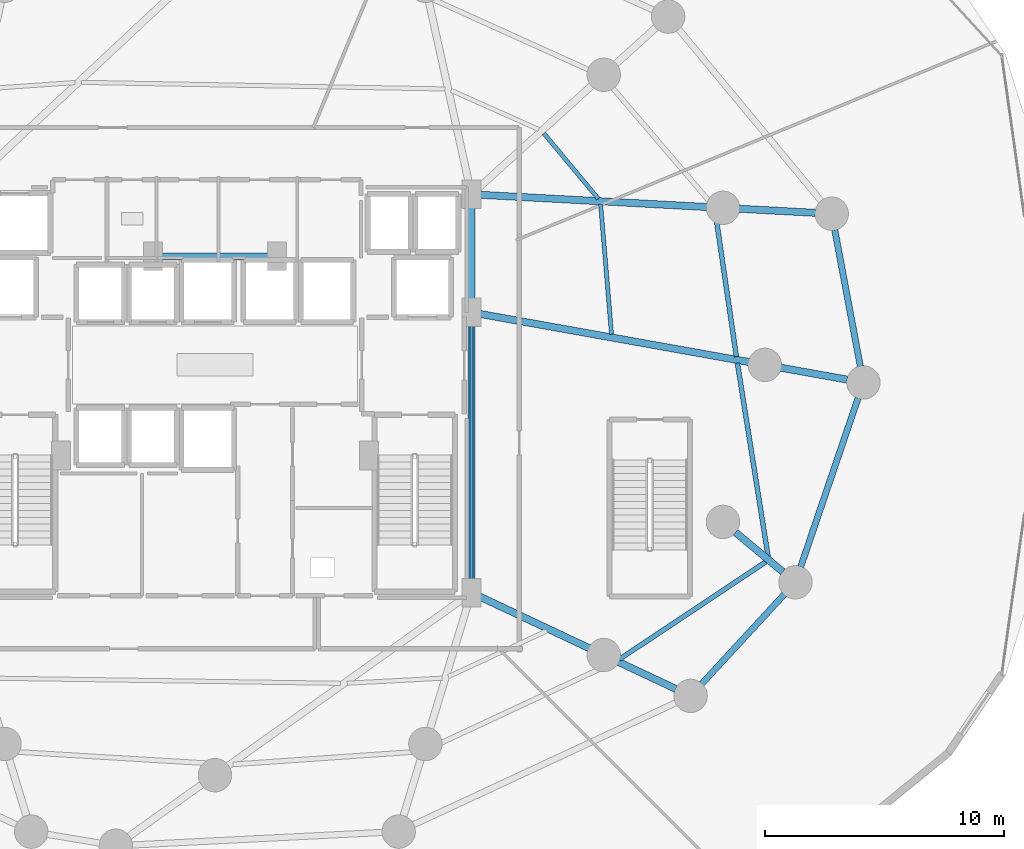
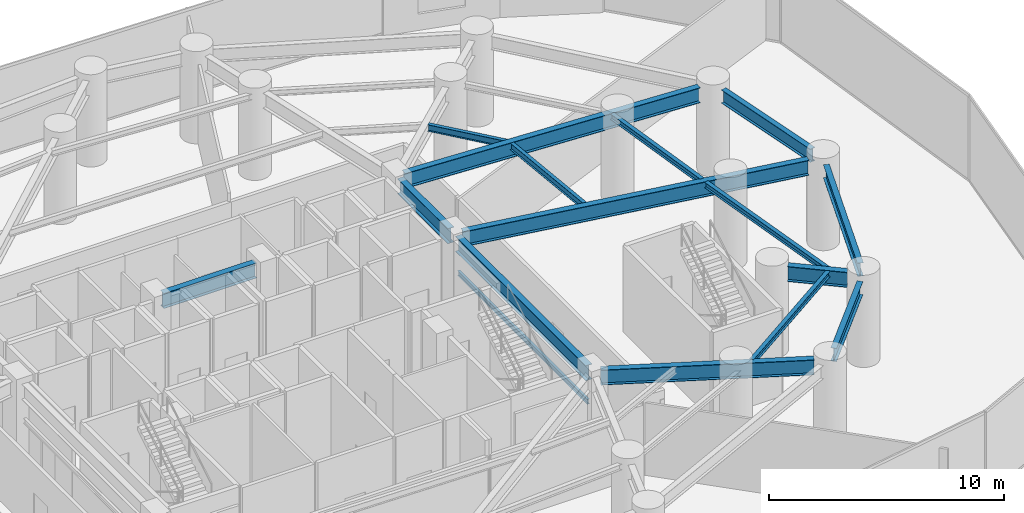
# One storey, part 11 of 26: 16 beams.
"""IFC4 building model written with IfcOpenShell, lengths in metres."""

import ifcopenshell
import ifcopenshell.guid

model = None  # the IFC model being written
_history = None  # IfcOwnerHistory: only IFC2X3 demands one
_inside = {}  # id of a spatial element -> (the spatial element, [elements in it])
_under = {}  # id of a project, library or spatial element -> (it, [spatial elements below it])
_declared = {}  # id of a project -> (the project, [libraries it declares])
_typed = {}  # id of a type object -> (the type object, [elements of that type])
_made_of = {}  # id of a material, layer set ... -> (it, [elements and type objects made of it])


def new_model(schema):
    """Start an empty IFC model of exactly this schema.

    Asked for "IFC4X3", IfcOpenShell would pick the latest addendum, in which some entities
    have other attributes; the version numbers below select the first issue.
    IFC2X3 requires an IfcOwnerHistory on every rooted entity: one is made here for all.
    """
    global model, _history
    if schema == "IFC4X3":
        model = ifcopenshell.file(schema_version=(4, 3, 0, 0))
    else:
        model = ifcopenshell.file(schema=schema)
    _inside.clear()
    _under.clear()
    _declared.clear()
    _typed.clear()
    _made_of.clear()
    _history = None
    if model.schema == "IFC2X3":
        org = make("IfcOrganization", Name="unknown")
        user = make(
            "IfcPersonAndOrganization",
            ThePerson=make("IfcPerson", FamilyName="unknown"),
            TheOrganization=org,
        )
        app = make(
            "IfcApplication",
            ApplicationDeveloper=org,
            Version="unknown",
            ApplicationFullName="unknown",
            ApplicationIdentifier="unknown",
        )
        _history = make(
            "IfcOwnerHistory",
            OwningUser=user,
            OwningApplication=app,
            ChangeAction="ADDED",
            CreationDate=0,
        )
    return model


def make(cls, **values):
    """One entity of the class cls with the attributes given. An attribute that is None is left unset."""
    return model.create_entity(
        cls, **{name: value for name, value in values.items() if value is not None}
    )


def rooted(cls, **values):
    """An entity with a GlobalId (a new one), such as an element, a storey or a relation."""
    return make(cls, GlobalId=ifcopenshell.guid.new(), OwnerHistory=_history, **values)


def si_unit(unit_type, name, prefix=None):
    """IfcSIUnit, for example si_unit("LENGTHUNIT", "METRE", prefix="MILLI")."""
    return make("IfcSIUnit", UnitType=unit_type, Prefix=prefix, Name=name)


def assignment(units):
    """IfcUnitAssignment: the units of a project."""
    return None if units is None else make("IfcUnitAssignment", Units=units)


def point(xyz):
    """IfcCartesianPoint."""
    return None if xyz is None else make("IfcCartesianPoint", Coordinates=xyz)


def direction(xyz):
    """IfcDirection."""
    return None if xyz is None else make("IfcDirection", DirectionRatios=xyz)


def frame(location, z_axis=None, x_axis=None):
    """IfcAxis2Placement3D, a coordinate frame: its origin and axes. An axis left out is left unset."""
    return make(
        "IfcAxis2Placement3D",
        Location=point(location),
        Axis=direction(z_axis),
        RefDirection=direction(x_axis),
    )


def frame_2d(location, x_axis=None):
    """IfcAxis2Placement2D, a coordinate frame in the plane: its origin and x axis."""
    return make(
        "IfcAxis2Placement2D", Location=point(location), RefDirection=direction(x_axis)
    )


def origin():
    """The frame at (0, 0, 0) with its axes left unset."""
    return frame((0.0, 0.0, 0.0))


def origin_2d():
    """The frame at (0, 0) in the plane with its x axis left unset."""
    return frame_2d((0.0, 0.0))


def place(relative_to, where):
    """IfcLocalPlacement: puts the frame where relative to a parent placement (None: the world)."""
    return make(
        "IfcLocalPlacement", PlacementRelTo=relative_to, RelativePlacement=where
    )


def context(
    kind, dimensions, precision=None, world=None, true_north=None, identifier=None
):
    """IfcGeometricRepresentationContext, for example the 3D "Model" context."""
    return make(
        "IfcGeometricRepresentationContext",
        ContextIdentifier=identifier,
        ContextType=kind,
        CoordinateSpaceDimension=dimensions,
        Precision=precision,
        WorldCoordinateSystem=world,
        TrueNorth=true_north,
    )


def subcontext(parent, identifier, kind, view, scale=None):
    """IfcGeometricRepresentationSubContext, for example "Body" below "Model"."""
    return make(
        "IfcGeometricRepresentationSubContext",
        ContextIdentifier=identifier,
        ContextType=kind,
        ParentContext=parent,
        TargetScale=scale,
        TargetView=view,
    )


def project(units=None, contexts=None):
    """IfcProject with its units and contexts."""
    return rooted(
        "IfcProject",
        Name="project",
        RepresentationContexts=contexts,
        UnitsInContext=assignment(units),
    )


def spatial(cls, under=None, at=None, **own):
    """A site, building, storey or space (cls), placed at a placement, below another one or the project."""
    s = rooted(cls, ObjectPlacement=at, **own)
    if under is not None:
        _under.setdefault(under.id(), (under, []))[1].append(s)
    return s


def profile(cls, at=None, kind="AREA", **sizes):
    """A parametric profile (cls). Its sizes go by their IFC names, for example OverallWidth=200.0."""
    return make(cls, ProfileType=kind, Position=at, **sizes)


def i_section(**sizes):
    """IfcIShapeProfileDef."""
    return profile("IfcIShapeProfileDef", **sizes)


def extrude(swept, where, along, depth):
    """IfcExtrudedAreaSolid: the profile swept, set in the frame where, extruded along a direction by depth."""
    return make(
        "IfcExtrudedAreaSolid",
        SweptArea=swept,
        Position=where,
        ExtrudedDirection=direction(along),
        Depth=depth,
    )


def shape(context_of_items, identifier, shape_type, items):
    """IfcShapeRepresentation: the items that make up one representation, for example the "Body"."""
    return make(
        "IfcShapeRepresentation",
        ContextOfItems=context_of_items,
        RepresentationIdentifier=identifier,
        RepresentationType=shape_type,
        Items=items,
    )


def material(Name=None, Category=None):
    """IfcMaterial."""
    return make("IfcMaterial", Name=Name, Category=Category)


def material_profile(
    of_material, cross_section, Name=None, Category=None, Priority=None
):
    """IfcMaterialProfile: a cross section and its material."""
    return make(
        "IfcMaterialProfile",
        Name=Name,
        Material=of_material,
        Profile=cross_section,
        Priority=Priority,
        Category=Category,
    )


def profile_set(profiles, Name=None, composite=None):
    """IfcMaterialProfileSet."""
    return make(
        "IfcMaterialProfileSet",
        Name=Name,
        MaterialProfiles=profiles,
        CompositeProfile=composite,
    )


def made_of(thing, what):
    """Note that an element or type object is made of a material, layer set ...; save() writes the relation."""
    if what is not None:
        _made_of.setdefault(what.id(), (what, []))[1].append(thing)
    return thing


def type_object(cls, material=None, **own):
    """A type object (cls), such as IfcWallType, which elements share."""
    return made_of(rooted(cls, **own), material)


def element(
    cls,
    number,
    at=None,
    inside=None,
    cuts=None,
    type_object=None,
    material=None,
    context=None,
    identifier="Body",
    shape_type=None,
    held_by="IfcProductDefinitionShape",
    body=None,
    shapes=None,
    **own,
):
    """One element of the class cls, such as IfcWall. Its Tag is "e" and its number.

    at: its placement. inside: the storey or other place that contains it. cuts: it is an
    opening in that element (IfcRelVoidsElement). A single representation is given by context,
    identifier, shape_type and body (its items); several are given by shapes. held_by: the class
    of the entity that holds the representations. save() writes the other relations.
    """
    e = rooted(cls, Tag="e%d" % number, ObjectPlacement=at, **own)
    if body is not None:
        shapes = [shape(context, identifier, shape_type, body)]
    if shapes is not None:
        e.Representation = make(held_by, Representations=shapes)
    if inside is not None:
        _inside.setdefault(inside.id(), (inside, []))[1].append(e)
    if cuts is not None:
        rooted(
            "IfcRelVoidsElement", RelatingBuildingElement=cuts, RelatedOpeningElement=e
        )
    if type_object is not None:
        _typed.setdefault(type_object.id(), (type_object, []))[1].append(e)
    return made_of(e, material)


def aggregate(whole, parts):
    """IfcRelAggregates: a whole, such as a stair, and the parts it consists of."""
    return rooted("IfcRelAggregates", RelatingObject=whole, RelatedObjects=parts)


def save(model, path):
    """Write the relations noted so far, then the file.

    IfcRelAggregates (storeys below a building ...), IfcRelContainedInSpatialStructure (elements
    in a storey), IfcRelDefinesByType, IfcRelAssociatesMaterial and IfcRelDeclares: one each for
    every whole, place, type object, material and project.
    """
    for whole, parts in _under.values():
        aggregate(whole, parts)
    for where, things in _inside.values():
        rooted(
            "IfcRelContainedInSpatialStructure",
            RelatedElements=things,
            RelatingStructure=where,
        )
    for kind, things in _typed.values():
        rooted("IfcRelDefinesByType", RelatedObjects=things, RelatingType=kind)
    for what, things in _made_of.values():
        rooted("IfcRelAssociatesMaterial", RelatedObjects=things, RelatingMaterial=what)
    for by, libraries in _declared.values():
        rooted("IfcRelDeclares", RelatingContext=by, RelatedDefinitions=libraries)
    model.write(path)


model = new_model("IFC4")

# Units and contexts
model_context = context("Model", 3, precision=1e-05, world=origin(), true_north=direction((0.0, 1.0)))
body_context = subcontext(model_context, "Body", "Model", "MODEL_VIEW")
ifc_project = project(units=[si_unit("LENGTHUNIT", "METRE"), si_unit("AREAUNIT", "SQUARE_METRE"), si_unit("VOLUMEUNIT", "CUBIC_METRE"), si_unit("PLANEANGLEUNIT", "RADIAN"), si_unit("MASSUNIT", "GRAM", prefix="KILO")], contexts=[model_context])

# Site, building, storey
site_placement = place(None, origin())
site = spatial("IfcSite", under=ifc_project, at=site_placement, CompositionType="ELEMENT")
building_placement = place(site_placement, origin())
building = spatial("IfcBuilding", under=site, at=building_placement, Name="Vorneva Point Tower", CompositionType="ELEMENT")
storey_placement = place(building_placement, frame((0.0, 0.0, 14.39990234375)))
storey = spatial("IfcBuildingStorey", under=building, at=storey_placement, Name="L03", CompositionType="ELEMENT", Elevation=14.39990234375)

# Beams
ifc_material = material(Name="Steel S355", Category="steel")
ifc_material_profile_1 = material_profile(ifc_material, i_section(OverallWidth=0.300048828125, OverallDepth=0.7880859375, WebThickness=0.014404296875, FlangeThickness=0.02197265625, at=origin_2d()), Name="80Sh1")
ifc_profile_set_1 = profile_set([ifc_material_profile_1], Name="Steel S355")
beam_type_1 = type_object("IfcBeamType", Name="BM-GRD-80Sh1", PredefinedType="USERDEFINED", material=ifc_profile_set_1)
beam_1_placement = place(storey_placement, frame((64.5048828125, 25.382080078125, 4.086181640625), z_axis=(-0.984378315353, 0.17606627236, 0.0), x_axis=(-0.17606627236, -0.984378315353, 0.0)))
element("IfcBeam", 1, at=beam_1_placement, inside=storey, type_object=beam_type_1, Name="L03 Radial Primary Girder 01", ObjectType="GIRDER", PredefinedType="USERDEFINED", context=body_context, shape_type="SweptSolid", body=[
    extrude(i_section(OverallWidth=0.300048828125, OverallDepth=0.7880859375, WebThickness=0.014404296875, FlangeThickness=0.02197265625, at=origin_2d()), origin(), (0.0, 0.0, 1.0), 15.664794921875),
])
beam_2_placement = place(storey_placement, frame((63.16748046875, 32.373779296875, 4.086181640625), z_axis=(-0.998554305988, 0.053752190586, 0.0), x_axis=(-0.053752190586, -0.998554305988, 0.0)))
element("IfcBeam", 2, at=beam_2_placement, inside=storey, type_object=beam_type_1, Name="L03 Radial Primary Girder 02", ObjectType="GIRDER", PredefinedType="USERDEFINED", context=body_context, shape_type="SweptSolid", body=[
    extrude(i_section(OverallWidth=0.300048828125, OverallDepth=0.7880859375, WebThickness=0.014404296875, FlangeThickness=0.02197265625, at=origin_2d()), origin(), (0.0, 0.0, 1.0), 14.09814453125),
])
beam_3_placement = place(storey_placement, frame((57.316162109375, 12.417236328125, 4.086181640625), z_axis=(-0.904752620724, 0.425937431195, 0.0), x_axis=(-0.425937431195, -0.904752620724, 0.0)))
element("IfcBeam", 3, at=beam_3_placement, inside=storey, type_object=beam_type_1, Name="L03 Radial Primary Girder 15", ObjectType="GIRDER", PredefinedType="USERDEFINED", context=body_context, shape_type="SweptSolid", body=[
    extrude(i_section(OverallWidth=0.300048828125, OverallDepth=0.7880859375, WebThickness=0.014404296875, FlangeThickness=0.02197265625, at=origin_2d()), origin(), (0.0, 0.0, 1.0), 9.1279296875),
])
beam_4_placement = place(storey_placement, frame((61.80615234375, 17.326904296875, 4.086181640625), z_axis=(-0.768407453213, 0.639960925249, 0.0), x_axis=(-0.639960925249, -0.768407453213, 0.0)))
element("IfcBeam", 4, at=beam_4_placement, inside=storey, type_object=beam_type_1, Name="L03 Radial Primary Girder 16", ObjectType="GIRDER", PredefinedType="USERDEFINED", context=body_context, shape_type="SweptSolid", body=[
    extrude(i_section(OverallWidth=0.300048828125, OverallDepth=0.7880859375, WebThickness=0.014404296875, FlangeThickness=0.02197265625, at=origin_2d()), origin(), (0.0, 0.0, 1.0), 2.579345703125),
])
beam_5_placement = place(storey_placement, frame((48.75, 16.77001953125, 4.086181640625), z_axis=(0.0, 1.0, 0.0), x_axis=(-1.0, 0.0, 0.0)))
element("IfcBeam", 5, at=beam_5_placement, inside=storey, type_object=beam_type_1, Name="L03 Core Tie Girder CT3", ObjectType="GIRDER", PredefinedType="USERDEFINED", context=body_context, shape_type="SweptSolid", body=[
    extrude(i_section(OverallWidth=0.300048828125, OverallDepth=0.7880859375, WebThickness=0.014404296875, FlangeThickness=0.02197265625, at=origin_2d()), origin(), (0.0, 0.0, 1.0), 11.10986328125),
])
beam_6_placement = place(storey_placement, frame((48.75, 28.52001953125, 4.086181640625), z_axis=(0.0, 1.0, 0.0), x_axis=(-1.0, 0.0, 0.0)))
element("IfcBeam", 6, at=beam_6_placement, inside=storey, type_object=beam_type_1, Name="L03 Core Tie Girder CT4", ObjectType="GIRDER", PredefinedType="USERDEFINED", context=body_context, shape_type="SweptSolid", body=[
    extrude(i_section(OverallWidth=0.300048828125, OverallDepth=0.7880859375, WebThickness=0.014404296875, FlangeThickness=0.02197265625, at=origin_2d()), origin(), (0.0, 0.0, 1.0), 4.31005859375),
])
beam_7_placement = place(storey_placement, frame((35.719970703125, 30.550048828125, 4.086181640625), z_axis=(1.0, 0.0, 0.0), x_axis=(0.0, 1.0, 0.0)))
element("IfcBeam", 7, at=beam_7_placement, inside=storey, type_object=beam_type_1, Name="L03 Core Tie Girder CT8", ObjectType="GIRDER", PredefinedType="USERDEFINED", context=body_context, shape_type="SweptSolid", body=[
    extrude(i_section(OverallWidth=0.300048828125, OverallDepth=0.7880859375, WebThickness=0.014404296875, FlangeThickness=0.02197265625, at=origin_2d()), origin(), (0.0, 0.0, 1.0), 4.56005859375),
])
ifc_material_profile_2 = material_profile(ifc_material, i_section(OverallWidth=0.1240234375, OverallDepth=0.248046875, WebThickness=0.0048828125, FlangeThickness=0.008056640625, at=origin_2d()), Name="25B1")
ifc_profile_set_2 = profile_set([ifc_material_profile_2], Name="Steel S355")
beam_type_2 = type_object("IfcBeamType", Name="BM-LNT-25B1", PredefinedType="LINTEL", material=ifc_profile_set_2)
beam_8_placement = place(storey_placement, frame((48.75, 16.7900390625, 2.550048828125), z_axis=(0.0, 1.0, 0.0), x_axis=(-1.0, 0.0, 0.0)))
element("IfcBeam", 8, at=beam_8_placement, inside=storey, type_object=beam_type_2, Name="L03 Core Opening Lintel Beam E", PredefinedType="LINTEL", context=body_context, shape_type="SweptSolid", body=[
    extrude(i_section(OverallWidth=0.1240234375, OverallDepth=0.248046875, WebThickness=0.0048828125, FlangeThickness=0.008056640625, at=origin_2d()), origin(), (0.0, 0.0, 1.0), 11.070068359375),
])
ifc_material_profile_3 = material_profile(ifc_material, i_section(OverallWidth=0.199951171875, OverallDepth=0.291015625, WebThickness=0.008056640625, FlangeThickness=0.010986328125, at=origin_2d()), Name="30Sh1")
ifc_profile_set_3 = profile_set([ifc_material_profile_3], Name="Steel S355")
beam_type_3 = type_object("IfcBeamType", Name="BM-SEC-30Sh1", PredefinedType="BEAM", material=ifc_profile_set_3)
beam_9_placement = place(storey_placement, frame((59.85888671875, 26.345947265625, 4.334716796875), z_axis=(-0.144698303609, 0.989475821298, 0.0), x_axis=(-0.989475821298, -0.144698303609, 0.0)))
element("IfcBeam", 9, at=beam_9_placement, inside=storey, type_object=beam_type_3, Name="L03 Secondary Floor Beam 1.01", PredefinedType="BEAM", context=body_context, shape_type="SweptSolid", body=[
    extrude(i_section(OverallWidth=0.199951171875, OverallDepth=0.291015625, WebThickness=0.008056640625, FlangeThickness=0.010986328125, at=origin_2d()), origin(), (0.0, 0.0, 1.0), 6.183837890625),
])
beam_10_placement = place(storey_placement, frame((54.95361328125, 13.659912109375, 4.334716796875), z_axis=(0.832655632394, 0.553791113907, 0.0), x_axis=(-0.553791113907, 0.832655632394, 0.0)))
element("IfcBeam", 10, at=beam_10_placement, inside=storey, type_object=beam_type_3, Name="L03 Secondary Floor Beam 1.15", PredefinedType="BEAM", context=body_context, shape_type="SweptSolid", body=[
    extrude(i_section(OverallWidth=0.199951171875, OverallDepth=0.291015625, WebThickness=0.008056640625, FlangeThickness=0.010986328125, at=origin_2d()), origin(), (0.0, 0.0, 1.0), 7.377685546875),
])
beam_11_placement = place(storey_placement, frame((61.18994140625, 17.958251953125, 4.334716796875), z_axis=(-0.15694511984, 0.987607325488, 0.0), x_axis=(-0.987607325488, -0.15694511984, 0.0)))
element("IfcBeam", 11, at=beam_11_placement, inside=storey, type_object=beam_type_3, Name="L03 Secondary Floor Beam 1.16", PredefinedType="BEAM", context=body_context, shape_type="SweptSolid", body=[
    extrude(i_section(OverallWidth=0.199951171875, OverallDepth=0.291015625, WebThickness=0.008056640625, FlangeThickness=0.010986328125, at=origin_2d()), origin(), (0.0, 0.0, 1.0), 8.216552734375),
])
ifc_material_profile_4 = material_profile(ifc_material, i_section(OverallWidth=0.174072265625, OverallDepth=0.345947265625, WebThickness=0.006103515625, FlangeThickness=0.009033203125, at=origin_2d()), Name="35B1")
ifc_profile_set_4 = profile_set([ifc_material_profile_4], Name="Steel S355")
beam_type_4 = type_object("IfcBeamType", Name="BM-SEC-35B1", PredefinedType="BEAM", material=ifc_profile_set_4)
beam_12_placement = place(storey_placement, frame((54.62451171875, 27.28466796875, 4.30712890625), z_axis=(-0.083460266403, 0.996511105774, 0.0), x_axis=(-0.996511105774, -0.083460266403, 0.0)))
element("IfcBeam", 12, at=beam_12_placement, inside=storey, type_object=beam_type_4, Name="L03 Secondary Floor Beam 2.01", PredefinedType="BEAM", context=body_context, shape_type="SweptSolid", body=[
    extrude(i_section(OverallWidth=0.174072265625, OverallDepth=0.345947265625, WebThickness=0.006103515625, FlangeThickness=0.009033203125, at=origin_2d()), origin(), (0.0, 0.0, 1.0), 5.45556640625),
])
beam_13_placement = place(storey_placement, frame((54.069091796875, 32.96484375, 4.30712890625), z_axis=(-0.640150745578, 0.768249323421, 0.0), x_axis=(-0.768249323421, -0.640150745578, 0.0)))
element("IfcBeam", 13, at=beam_13_placement, inside=storey, type_object=beam_type_4, Name="L03 Secondary Floor Beam 2.02", PredefinedType="BEAM", context=body_context, shape_type="SweptSolid", body=[
    extrude(i_section(OverallWidth=0.174072265625, OverallDepth=0.345947265625, WebThickness=0.006103515625, FlangeThickness=0.009033203125, at=origin_2d()), origin(), (0.0, 0.0, 1.0), 3.56787109375),
])
ifc_material_profile_5 = material_profile(ifc_material, i_section(OverallWidth=0.260009765625, OverallDepth=0.69091796875, WebThickness=0.011962890625, FlangeThickness=0.015380859375, at=origin_2d()), Name="70B1")
ifc_profile_set_5 = profile_set([ifc_material_profile_5], Name="Steel S355")
beam_type_5 = type_object("IfcBeamType", Name="BM-SPN-70B1", PredefinedType="SPANDREL", material=ifc_profile_set_5)
beam_14_placement = place(storey_placement, frame((65.055908203125, 25.93408203125, 4.134521484375), z_axis=(-0.184447841855, 0.982842303544, 0.0), x_axis=(-0.982842303544, -0.184447841855, 0.0)))
element("IfcBeam", 14, at=beam_14_placement, inside=storey, type_object=beam_type_5, Name="L03 Perimeter Spandrel Ring Beam 01", PredefinedType="SPANDREL", context=body_context, shape_type="SweptSolid", body=[
    extrude(i_section(OverallWidth=0.260009765625, OverallDepth=0.69091796875, WebThickness=0.011962890625, FlangeThickness=0.015380859375, at=origin_2d()), origin(), (0.0, 0.0, 1.0), 5.829345703125),
])
beam_15_placement = place(storey_placement, frame((58.4033203125, 12.62744140625, 4.134521484375), z_axis=(0.678290021617, 0.734794288611, 0.0), x_axis=(-0.734794288611, 0.678290021617, 0.0)))
element("IfcBeam", 15, at=beam_15_placement, inside=storey, type_object=beam_type_5, Name="L03 Perimeter Spandrel Ring Beam 15", PredefinedType="SPANDREL", context=body_context, shape_type="SweptSolid", body=[
    extrude(i_section(OverallWidth=0.260009765625, OverallDepth=0.69091796875, WebThickness=0.011962890625, FlangeThickness=0.015380859375, at=origin_2d()), origin(), (0.0, 0.0, 1.0), 5.111328125),
])
beam_16_placement = place(storey_placement, frame((62.555419921875, 17.534912109375, 4.134521484375), z_axis=(0.321895121583, 0.946775332749, 0.0), x_axis=(-0.946775332749, 0.321895121583, 0.0)))
element("IfcBeam", 16, at=beam_16_placement, inside=storey, type_object=beam_type_5, Name="L03 Perimeter Spandrel Ring Beam 16", PredefinedType="SPANDREL", context=body_context, shape_type="SweptSolid", body=[
    extrude(i_section(OverallWidth=0.260009765625, OverallDepth=0.69091796875, WebThickness=0.011962890625, FlangeThickness=0.015380859375, at=origin_2d()), origin(), (0.0, 0.0, 1.0), 7.475341796875),
])

save(model, "model.ifc")
